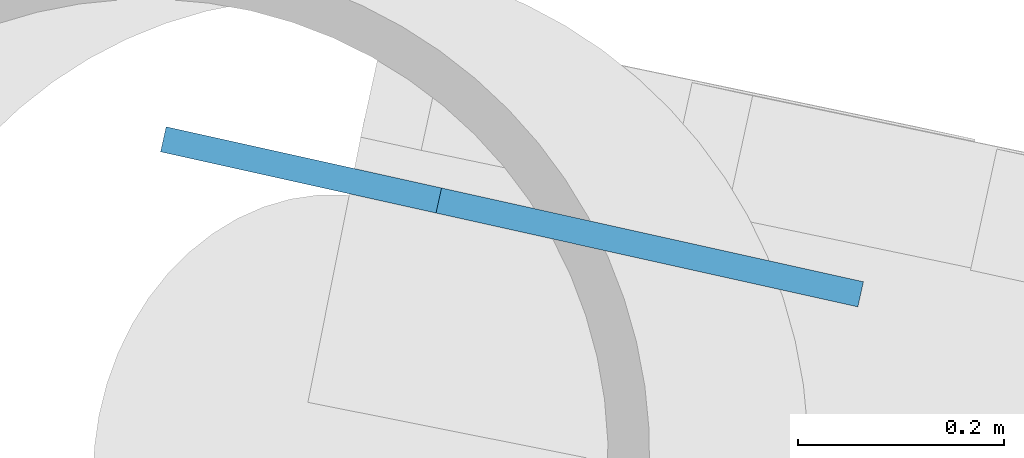
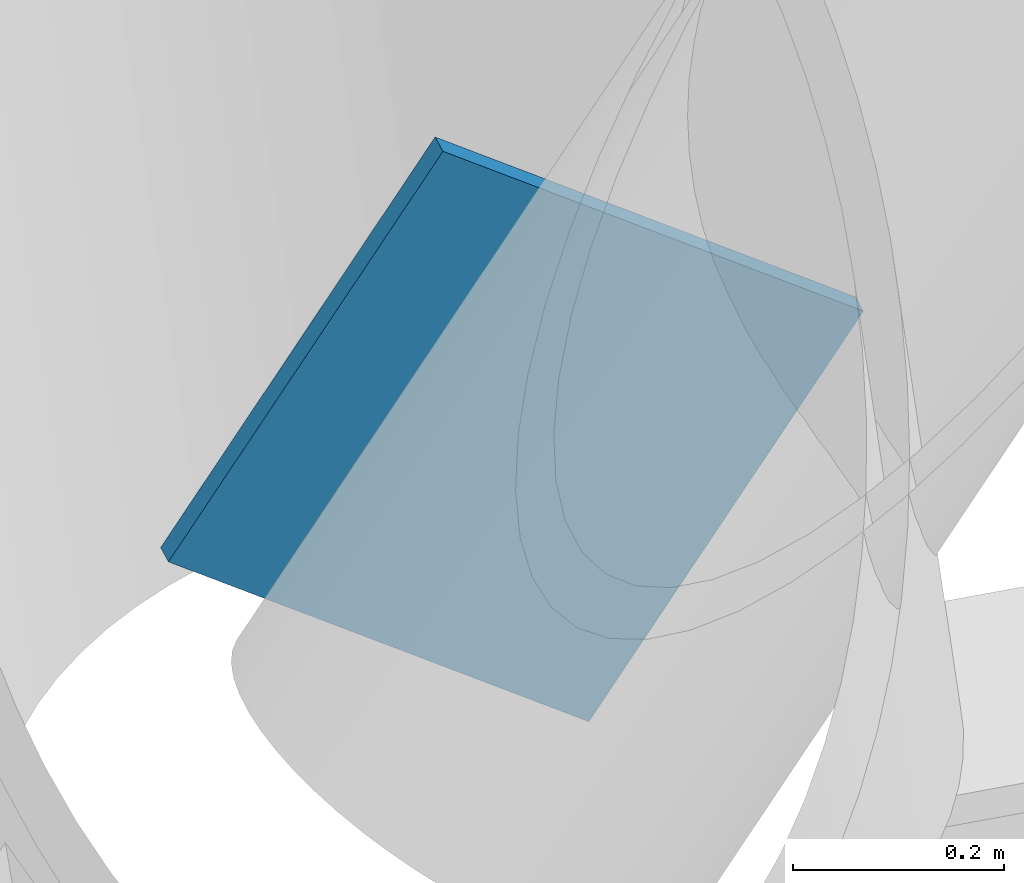
# One storey, part 14 of 22: 1 discrete accessory.
"""IFC4 building model written with IfcOpenShell, lengths in metres."""

from ifc_helpers import new_model, si_unit, direction, frame, origin, origin_2d, place, context, subcontext, project, spatial, rectangle, extrude, material, material_profile, profile_set, type_object, element, save


model = new_model("IFC4")

# Units and contexts
model_context = context("Model", 3, precision=1e-05, world=origin(), true_north=direction((0.0, 1.0)))
body_context = subcontext(model_context, "Body", "Model", "MODEL_VIEW")
ifc_project = project(units=[si_unit("LENGTHUNIT", "METRE"), si_unit("AREAUNIT", "SQUARE_METRE"), si_unit("VOLUMEUNIT", "CUBIC_METRE"), si_unit("PLANEANGLEUNIT", "RADIAN"), si_unit("MASSUNIT", "GRAM", prefix="KILO")], contexts=[model_context])

# Site, building, storey
site_placement = place(None, origin())
site = spatial("IfcSite", under=ifc_project, at=site_placement, CompositionType="ELEMENT")
building_placement = place(site_placement, origin())
building = spatial("IfcBuilding", under=site, at=building_placement, Name="Tarsis Ring Headquarters", CompositionType="ELEMENT")
storey_placement = place(building_placement, frame((0.0, 0.0, 339.199951171875)))
storey = spatial("IfcBuildingStorey", under=building, at=storey_placement, Name="L80", CompositionType="ELEMENT", Elevation=339.199951171875)

# Discrete accessory
ifc_material = material(Name="Structural steel S355", Category="steel")
ifc_material_profile = material_profile(ifc_material, rectangle(XDim=0.02490234375, YDim=0.5, at=origin_2d()), Name="PL 25x500")
ifc_profile_set = profile_set([ifc_material_profile], Name="Structural steel S355")
discrete_accessory_type = type_object("IfcDiscreteAccessoryType", Name="Gusset plate Exo brace 25", PredefinedType="BRACKET", material=ifc_profile_set)
discrete_accessory_placement = place(storey_placement, frame((0.12744140625, 29.30859375, 0.0), z_axis=(0.533652029226, -0.118643589297, 0.837340558209), x_axis=(0.21702502108, 0.976166041319, 0.0)))
element("IfcDiscreteAccessory", 1, at=discrete_accessory_placement, inside=storey, type_object=discrete_accessory_type, Name="Gusset plate GP5", PredefinedType="BRACKET", context=body_context, shape_type="SweptSolid", body=[
    extrude(rectangle(XDim=0.02490234375, YDim=0.5, at=origin_2d()), origin(), (0.0, 0.0, 1.0), 0.5),
])

save(model, "model.ifc")
